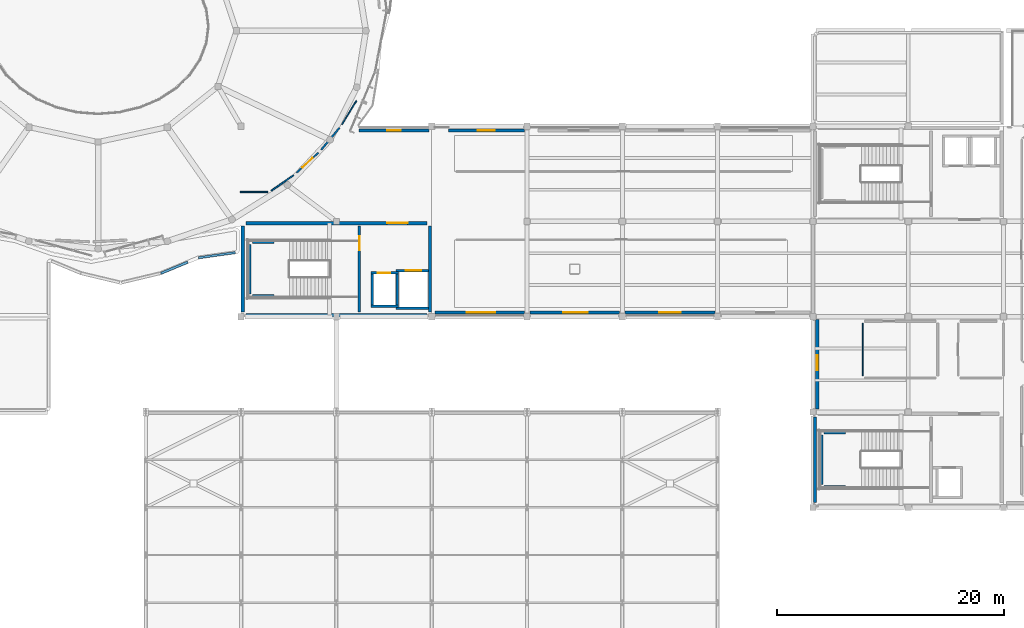
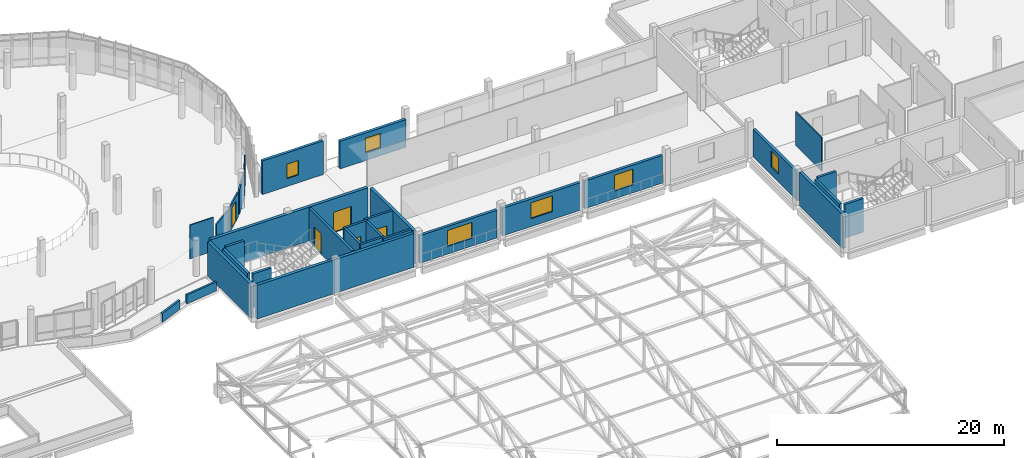
# One storey, part 59 of 74: 32 walls, 6 windows, 5 doors, 11 openings.
"""IFC4 building model written with IfcOpenShell, lengths in metres."""

from ifc_helpers import new_model, si_unit, derived_unit, direction, frame, frame_2d, origin, place, context, subcontext, project, spatial, rectangle, extrude, material, layer, layer_set, type_object, element, fill, save


model = new_model("IFC4")

# Units and contexts
model_context = context("Model", 3, precision=1e-05, world=origin(), true_north=direction((0.0, 1.0)))
body_context = subcontext(model_context, "Body", "Model", "MODEL_VIEW")
ifc_project = project(units=[si_unit("LENGTHUNIT", "METRE"), si_unit("AREAUNIT", "SQUARE_METRE"), si_unit("VOLUMEUNIT", "CUBIC_METRE"), si_unit("PLANEANGLEUNIT", "RADIAN"), si_unit("MASSUNIT", "GRAM", prefix="KILO"), derived_unit("THERMALTRANSMITTANCEUNIT", [(si_unit("POWERUNIT", "WATT"), 1), (si_unit("LENGTHUNIT", "METRE"), -2), (si_unit("THERMODYNAMICTEMPERATUREUNIT", "KELVIN"), -1)])], contexts=[model_context])

# Site, building, storey
site_placement = place(None, origin())
site = spatial("IfcSite", under=ifc_project, at=site_placement, CompositionType="ELEMENT")
building_placement = place(site_placement, origin())
building = spatial("IfcBuilding", under=site, at=building_placement, Name="Elbkamm Science Centre", CompositionType="ELEMENT")
storey_placement = place(building_placement, frame((0.0, 0.0, 14.39990234375)))
storey = spatial("IfcBuildingStorey", under=building, at=storey_placement, Name="L03", CompositionType="ELEMENT", Elevation=14.39990234375)

# Walls
ifc_material_1 = material(Name="Reinforced concrete C40/50", Category="concrete")
ifc_layer_1 = layer(ifc_material_1, 0.25)
ifc_layer_set_1 = layer_set([ifc_layer_1], Name="Reinforced concrete C40/50")
wall_type_1 = type_object("IfcWallType", Name="WL-CORE-250", PredefinedType="SHEAR", material=ifc_layer_set_1)
wall_1_placement = place(storey_placement, frame((76.340087890625, 44.02001953125, 0.0), z_axis=(0.0, 0.0, 1.0), x_axis=(0.0, 1.0, 0.0)))
element("IfcWall", 1, at=wall_1_placement, inside=storey, type_object=wall_type_1, Name="L03 ST-C2 Shaft Bearing Wall W", PredefinedType="SHEAR", context=body_context, shape_type="SweptSolid", body=[
    extrude(rectangle(XDim=4.35986328125, YDim=0.25, at=frame_2d((2.179931640625, 0.0))), origin(), (0.0, 0.0, 1.0), 3.6201171875),
])
for number, where, z_axis, x_axis, name in (
    (2, (76.590087890625, 43.820068359375, 0.0), (0.0, 0.0, 1.0), (1.0, 0.0, 0.0), "L03 ST-C2 Shaft Bearing Wall S"),
    (3, (76.590087890625, 48.580078125, 0.0), (0.0, 0.0, 1.0), (1.0, 0.0, 0.0), "L03 ST-C2 Shaft Bearing Wall N"),
):
    element("IfcWall", number, at=place(storey_placement, frame(where, z_axis=z_axis, x_axis=x_axis)), inside=storey, type_object=wall_type_1, Name=name, PredefinedType="SHEAR", context=body_context, shape_type="SweptSolid", body=[
        extrude(rectangle(XDim=1.889892578125, YDim=0.25, at=frame_2d((0.94482421875, 0.0))), origin(), (0.0, 0.0, 1.0), 3.6201171875),
    ])

# Wall, opening, door
wall_2_placement = place(storey_placement, frame((86.02001953125, 42.419921875, 0.0), z_axis=(0.0, 0.0, 1.0), x_axis=(0.0, 1.0, 0.0)))
wall_2 = element("IfcWall", 4, at=wall_2_placement, inside=storey, type_object=wall_type_1, Name="L03 C2 Stairwell Compartment Wall", PredefinedType="SHEAR", context=body_context, shape_type="SweptSolid", body=[
    extrude(rectangle(XDim=7.56005859375, YDim=0.25, at=frame_2d((3.780029296875, 0.0))), origin(), (0.0, 0.0, 1.0), 3.6201171875),
])
opening_1_placement = place(wall_2_placement, frame((5.4599609375, 0.0, 0.0)))
opening_1 = element("IfcOpeningElement", 5, at=opening_1_placement, cuts=wall_2, Name="Opening DC-02", PredefinedType="OPENING", context=body_context, shape_type="SweptSolid", body=[
    extrude(rectangle(XDim=1.199951171875, YDim=2.199951171875, at=frame_2d((0.60009765625, 1.10009765625))), frame((0.0, 0.136962890625, 0.0), z_axis=(0.0, -1.0, 0.0), x_axis=(1.0, 0.0, 0.0)), (0.0, 0.0, 1.0), 0.27392578125),
])
ifc_material_2 = material(Name="Fire-rated steel acoustic door", Category="steel")
ifc_layer_2 = layer(ifc_material_2, 0.050048828125)
ifc_layer_set_2 = layer_set([ifc_layer_2], Name="Fire-rated steel acoustic door")
door_type_1 = type_object("IfcDoorType", Name="DR-CORE-1200x2200", OperationType="NOTDEFINED", PredefinedType="DOOR", material=ifc_layer_set_2)
door_1_placement = place(opening_1_placement, origin())
door_1 = element("IfcDoor", 6, at=door_1_placement, inside=storey, type_object=door_type_1, Name="L03 ST-C2 Stairwell Fire Door", OperationType="SINGLE_SWING_RIGHT", OverallHeight=2.199951171875, OverallWidth=1.199951171875, PredefinedType="DOOR", context=body_context, shape_type="SweptSolid", body=[
    extrude(rectangle(XDim=1.199951171875, YDim=2.199951171875, at=frame_2d((0.60009765625, 1.10009765625))), frame((0.0, 0.02490234375, 0.0), z_axis=(0.0, -1.0, 0.0), x_axis=(1.0, 0.0, 0.0)), (0.0, 0.0, 1.0), 0.050048828125),
])
fill(opening_1, door_1)

# Walls
wall_3_placement = place(storey_placement, frame((126.739990234375, 27.219970703125, 0.0), z_axis=(0.0, 0.0, 1.0), x_axis=(0.0, 1.0, 0.0)))
element("IfcWall", 7, at=wall_3_placement, inside=storey, type_object=wall_type_1, Name="L03 ST-C4 Shaft Bearing Wall W", PredefinedType="SHEAR", context=body_context, shape_type="SweptSolid", body=[
    extrude(rectangle(XDim=4.360107421875, YDim=0.25, at=frame_2d((2.18017578125, 0.0))), origin(), (0.0, 0.0, 1.0), 3.6201171875),
])
for number, where, z_axis, x_axis, name in (
    (8, (126.989990234375, 27.02001953125, 0.0), (0.0, 0.0, 1.0), (1.0, 0.0, 0.0), "L03 ST-C4 Shaft Bearing Wall S"),
    (9, (126.989990234375, 31.780029296875, 0.0), (0.0, 0.0, 1.0), (1.0, 0.0, 0.0), "L03 ST-C4 Shaft Bearing Wall N"),
):
    element("IfcWall", number, at=place(storey_placement, frame(where, z_axis=z_axis, x_axis=x_axis)), inside=storey, type_object=wall_type_1, Name=name, PredefinedType="SHEAR", context=body_context, shape_type="SweptSolid", body=[
        extrude(rectangle(XDim=1.889892578125, YDim=0.25, at=frame_2d((0.94482421875, 0.0))), origin(), (0.0, 0.0, 1.0), 3.6201171875),
    ])
ifc_layer_3 = layer(ifc_material_1, 0.300048828125)
ifc_layer_set_3 = layer_set([ifc_layer_3], Name="Reinforced concrete C40/50")
wall_type_2 = type_object("IfcWallType", Name="WL-CORE-300", PredefinedType="SHEAR", material=ifc_layer_set_3)
wall_4_placement = place(storey_placement, frame((76.02001953125, 42.14990234375, 0.0), z_axis=(0.0, 0.0, 1.0), x_axis=(1.0, 0.0, 0.0)))
element("IfcWall", 10, at=wall_4_placement, inside=storey, type_object=wall_type_2, Name="L03 Core C2 Central Exhibition and Skybridge Core Shear Wall S", PredefinedType="SHEAR", context=body_context, shape_type="SweptSolid", body=[
    extrude(rectangle(XDim=15.9599609375, YDim=0.300048828125, at=frame_2d((7.97998046875, 0.0))), origin(), (0.0, 0.0, 1.0), 3.6201171875),
])

# Wall, opening, door
wall_5_placement = place(storey_placement, frame((76.02001953125, 50.25, 0.0), z_axis=(0.0, 0.0, 1.0), x_axis=(1.0, 0.0, 0.0)))
wall_5 = element("IfcWall", 11, at=wall_5_placement, inside=storey, type_object=wall_type_2, Name="L03 Core C2 Central Exhibition and Skybridge Core Shear Wall N", PredefinedType="SHEAR", context=body_context, shape_type="SweptSolid", body=[
    extrude(rectangle(XDim=15.9599609375, YDim=0.300048828125, at=frame_2d((7.97998046875, 0.0))), origin(), (0.0, 0.0, 1.0), 3.6201171875),
])
opening_2_placement = place(wall_5_placement, frame((12.4599609375, 0.0, 0.0)))
opening_2 = element("IfcOpeningElement", 12, at=opening_2_placement, cuts=wall_5, Name="Opening DC-01", PredefinedType="OPENING", context=body_context, shape_type="SweptSolid", body=[
    extrude(rectangle(XDim=1.800048828125, YDim=2.199951171875, at=frame_2d((0.89990234375, 1.10009765625))), frame((0.0, 0.162109375, 0.0), z_axis=(0.0, -1.0, 0.0), x_axis=(1.0, 0.0, 0.0)), (0.0, 0.0, 1.0), 0.323974609375),
])
ifc_layer_4 = layer(ifc_material_2, 0.050048828125)
ifc_layer_set_4 = layer_set([ifc_layer_4], Name="Fire-rated steel acoustic door")
door_type_2 = type_object("IfcDoorType", Name="DR-CORE-1800x2200", OperationType="DOUBLE_DOOR_SINGLE_SWING", PredefinedType="DOOR", material=ifc_layer_set_4)
door_2_placement = place(opening_2_placement, origin())
door_2 = element("IfcDoor", 13, at=door_2_placement, inside=storey, type_object=door_type_2, Name="L03 C2 Core Lobby Fire Door", OperationType="DOUBLE_DOOR_SINGLE_SWING", OverallHeight=2.199951171875, OverallWidth=1.800048828125, PredefinedType="DOOR", context=body_context, shape_type="SweptSolid", body=[
    extrude(rectangle(XDim=1.800048828125, YDim=2.199951171875, at=frame_2d((0.89990234375, 1.10009765625))), frame((0.0, 0.02490234375, 0.0), z_axis=(0.0, -1.0, 0.0), x_axis=(1.0, 0.0, 0.0)), (0.0, 0.0, 1.0), 0.050048828125),
])
fill(opening_2, door_2)

# Walls
for number, where, z_axis, x_axis, name in (
    (14, (75.75, 42.419921875, 0.0), (0.0, 0.0, 1.0), (0.0, 1.0, 0.0), "L03 Core C2 Central Exhibition and Skybridge Core Shear Wall W"),
    (15, (92.25, 42.419921875, 0.0), (0.0, 0.0, 1.0), (0.0, 1.0, 0.0), "L03 Core C2 Central Exhibition and Skybridge Core Shear Wall E"),
):
    element("IfcWall", number, at=place(storey_placement, frame(where, z_axis=z_axis, x_axis=x_axis)), inside=storey, type_object=wall_type_2, Name=name, PredefinedType="SHEAR", context=body_context, shape_type="SweptSolid", body=[
        extrude(rectangle(XDim=7.56005859375, YDim=0.300048828125, at=frame_2d((3.780029296875, 0.0))), origin(), (0.0, 0.0, 1.0), 3.6201171875),
    ])
wall_6_placement = place(storey_placement, frame((126.179931640625, 25.6201171875, 0.0), z_axis=(0.0, 0.0, 1.0), x_axis=(0.0, 1.0, 0.0)))
element("IfcWall", 16, at=wall_6_placement, inside=storey, type_object=wall_type_2, Name="L03 Core C4 Southeast Workshops and Library Core Shear Wall W", PredefinedType="SHEAR", context=body_context, shape_type="SweptSolid", body=[
    extrude(rectangle(XDim=7.559814453125, YDim=0.300048828125, at=frame_2d((3.77978515625, 0.0))), origin(), (0.0, 0.0, 1.0), 3.6201171875),
])

# Wall, opening, window
ifc_material_3 = material(Name="White precast concrete C40/50", Category="concrete")
ifc_layer_5 = layer(ifc_material_3, 0.27001953125)
ifc_layer_set_5 = layer_set([ifc_layer_5], Name="White precast concrete C40/50")
wall_type_3 = type_object("IfcWallType", Name="WL-EXT-270", PredefinedType="SOLIDWALL", material=ifc_layer_set_5)
wall_7_placement = place(storey_placement, frame((85.972900390625, 58.419921875, 0.0), z_axis=(0.0, 0.0, 1.0), x_axis=(1.0, 0.0, 0.0)))
wall_7 = element("IfcWall", 17, at=wall_7_placement, inside=storey, type_object=wall_type_3, Name="L03 Exterior Wall 0273", PredefinedType="SOLIDWALL", context=body_context, shape_type="SweptSolid", body=[
    extrude(rectangle(XDim=6.18798828125, YDim=0.27001953125, at=frame_2d((3.093994140625, 0.0))), origin(), (0.0, 0.0, 1.0), 3.6201171875),
])
opening_3_placement = place(wall_7_placement, frame((2.493896484375, 0.0, 0.85009765625)))
opening_3 = element("IfcOpeningElement", 18, at=opening_3_placement, cuts=wall_7, Name="Opening W-09", PredefinedType="OPENING", context=body_context, shape_type="SweptSolid", body=[
    extrude(rectangle(XDim=1.199951171875, YDim=1.550048828125, at=frame_2d((0.60009765625, 0.77490234375))), frame((0.0, 0.14697265625, 0.0), z_axis=(0.0, -1.0, 0.0), x_axis=(1.0, 0.0, 0.0)), (0.0, 0.0, 1.0), 0.2939453125),
])
ifc_material_4 = material(Name="Thermally broken aluminium and triple solar glass", Category="aluminium")
ifc_layer_6 = layer(ifc_material_4, 0.06005859375)
ifc_layer_set_6 = layer_set([ifc_layer_6], Name="Thermally broken aluminium and triple solar glass")
window_type_1 = type_object("IfcWindowType", Name="WIN-1200x1550", PartitioningType="SINGLE_PANEL", PredefinedType="WINDOW", material=ifc_layer_set_6)
window_1_placement = place(opening_3_placement, origin())
window_1 = element("IfcWindow", 19, at=window_1_placement, inside=storey, type_object=window_type_1, Name="L03 Facade Window 0068", OverallHeight=1.550048828125, OverallWidth=1.199951171875, PartitioningType="SINGLE_PANEL", PredefinedType="WINDOW", context=body_context, shape_type="SweptSolid", body=[
    extrude(rectangle(XDim=1.199951171875, YDim=1.550048828125, at=frame_2d((0.60009765625, 0.77490234375))), frame((0.0, 0.030029296875, 0.0), z_axis=(0.0, -1.0, 0.0), x_axis=(1.0, 0.0, 0.0)), (0.0, 0.0, 1.0), 0.06005859375),
])
fill(opening_3, window_1)

wall_8_placement = place(storey_placement, frame((126.3798828125, 33.876953125, 0.0), z_axis=(0.0, 0.0, 1.0), x_axis=(0.0, 1.0, 0.0)))
wall_8 = element("IfcWall", 20, at=wall_8_placement, inside=storey, type_object=wall_type_3, Name="L03 Exterior Wall 0285", PredefinedType="SOLIDWALL", context=body_context, shape_type="SweptSolid", body=[
    extrude(rectangle(XDim=7.884033203125, YDim=0.27001953125, at=frame_2d((3.94189453125, 0.0))), origin(), (0.0, 0.0, 1.0), 2.97021484375),
])
opening_4_placement = place(wall_8_placement, frame((3.428466796875, 0.0, 0.85009765625)))
opening_4 = element("IfcOpeningElement", 21, at=opening_4_placement, cuts=wall_8, Name="Opening W-15", PredefinedType="OPENING", context=body_context, shape_type="SweptSolid", body=[
    extrude(rectangle(XDim=1.300048828125, YDim=1.699951171875, at=frame_2d((0.64990234375, 0.85009765625))), frame((0.0, 0.14697265625, 0.0), z_axis=(0.0, -1.0, 0.0), x_axis=(1.0, 0.0, 0.0)), (0.0, 0.0, 1.0), 0.2939453125),
])
ifc_layer_7 = layer(ifc_material_4, 0.06005859375)
ifc_layer_set_7 = layer_set([ifc_layer_7], Name="Thermally broken aluminium and triple solar glass")
window_type_2 = type_object("IfcWindowType", Name="WIN-1300x1700", PartitioningType="SINGLE_PANEL", PredefinedType="WINDOW", material=ifc_layer_set_7)
window_2_placement = place(opening_4_placement, origin())
window_2 = element("IfcWindow", 22, at=window_2_placement, inside=storey, type_object=window_type_2, Name="L03 Facade Window 0074", OverallHeight=1.699951171875, OverallWidth=1.300048828125, PartitioningType="SINGLE_PANEL", PredefinedType="WINDOW", context=body_context, shape_type="SweptSolid", body=[
    extrude(rectangle(XDim=1.300048828125, YDim=1.699951171875, at=frame_2d((0.64990234375, 0.85009765625))), frame((0.0, 0.030029296875, 0.0), z_axis=(0.0, -1.0, 0.0), x_axis=(1.0, 0.0, 0.0)), (0.0, 0.0, 1.0), 0.06005859375),
])
fill(opening_4, window_2)

wall_9_placement = place(storey_placement, frame((117.36083984375, 42.3798828125, 0.0), z_axis=(0.0, 0.0, 1.0), x_axis=(-1.0, 0.0, 0.0)))
wall_9 = element("IfcWall", 23, at=wall_9_placement, inside=storey, type_object=wall_type_3, Name="L03 Exterior Wall 0287", PredefinedType="SOLIDWALL", context=body_context, shape_type="SweptSolid", body=[
    extrude(rectangle(XDim=7.921630859375, YDim=0.27001953125, at=frame_2d((3.9609375, 0.0))), origin(), (0.0, 0.0, 1.0), 2.97021484375),
])
opening_5_placement = place(wall_9_placement, frame((3.010986328125, 0.0, 0.85009765625)))
opening_5 = element("IfcOpeningElement", 24, at=opening_5_placement, cuts=wall_9, Name="Opening W-17", PredefinedType="OPENING", context=body_context, shape_type="SweptSolid", body=[
    extrude(rectangle(XDim=1.89990234375, YDim=1.699951171875, at=frame_2d((0.949951171875, 0.85009765625))), frame((0.0, 0.14697265625, 0.0), z_axis=(0.0, -1.0, 0.0), x_axis=(1.0, 0.0, 0.0)), (0.0, 0.0, 1.0), 0.2939453125),
])
ifc_layer_8 = layer(ifc_material_4, 0.06005859375)
ifc_layer_set_8 = layer_set([ifc_layer_8], Name="Thermally broken aluminium and triple solar glass")
window_type_3 = type_object("IfcWindowType", Name="WIN-1900x1700", PartitioningType="DOUBLE_PANEL_VERTICAL", PredefinedType="WINDOW", material=ifc_layer_set_8)
window_3_placement = place(opening_5_placement, origin())
window_3 = element("IfcWindow", 25, at=window_3_placement, inside=storey, type_object=window_type_3, Name="L03 Facade Window 0076", OverallHeight=1.699951171875, OverallWidth=1.89990234375, PartitioningType="SINGLE_PANEL", PredefinedType="WINDOW", context=body_context, shape_type="SweptSolid", body=[
    extrude(rectangle(XDim=1.89990234375, YDim=1.699951171875, at=frame_2d((0.949951171875, 0.85009765625))), frame((0.0, 0.030029296875, 0.0), z_axis=(0.0, -1.0, 0.0), x_axis=(1.0, 0.0, 0.0)), (0.0, 0.0, 1.0), 0.06005859375),
])
fill(opening_5, window_3)

wall_10_placement = place(storey_placement, frame((100.560791015625, 42.3798828125, 0.0), z_axis=(0.0, 0.0, 1.0), x_axis=(-1.0, 0.0, 0.0)))
wall_10 = element("IfcWall", 26, at=wall_10_placement, inside=storey, type_object=wall_type_3, Name="L03 Exterior Wall 0289", PredefinedType="SOLIDWALL", context=body_context, shape_type="SweptSolid", body=[
    extrude(rectangle(XDim=7.8837890625, YDim=0.27001953125, at=frame_2d((3.94189453125, 0.0))), origin(), (0.0, 0.0, 1.0), 2.97021484375),
])
opening_6_placement = place(wall_10_placement, frame((2.555419921875, 0.0, 0.85009765625)))
opening_6 = element("IfcOpeningElement", 27, at=opening_6_placement, cuts=wall_10, Name="Opening W-19", PredefinedType="OPENING", context=body_context, shape_type="SweptSolid", body=[
    extrude(rectangle(XDim=2.5, YDim=1.699951171875, at=frame_2d((1.25, 0.85009765625))), frame((0.0, 0.14697265625, 0.0), z_axis=(0.0, -1.0, 0.0), x_axis=(1.0, 0.0, 0.0)), (0.0, 0.0, 1.0), 0.2939453125),
])
ifc_layer_9 = layer(ifc_material_4, 0.06005859375)
ifc_layer_set_9 = layer_set([ifc_layer_9], Name="Thermally broken aluminium and triple solar glass")
window_type_4 = type_object("IfcWindowType", Name="WIN-2500x1700", PartitioningType="DOUBLE_PANEL_VERTICAL", PredefinedType="WINDOW", material=ifc_layer_set_9)
window_4_placement = place(opening_6_placement, origin())
window_4 = element("IfcWindow", 28, at=window_4_placement, inside=storey, type_object=window_type_4, Name="L03 Facade Window 0078", OverallHeight=1.699951171875, OverallWidth=2.5, PartitioningType="SINGLE_PANEL", PredefinedType="WINDOW", context=body_context, shape_type="SweptSolid", body=[
    extrude(rectangle(XDim=2.5, YDim=1.699951171875, at=frame_2d((1.25, 0.85009765625))), frame((0.0, 0.030029296875, 0.0), z_axis=(0.0, -1.0, 0.0), x_axis=(1.0, 0.0, 0.0)), (0.0, 0.0, 1.0), 0.06005859375),
])
fill(opening_6, window_4)

ifc_layer_10 = layer(ifc_material_3, 0.2900390625)
ifc_layer_set_10 = layer_set([ifc_layer_10], Name="White precast concrete C40/50")
wall_type_4 = type_object("IfcWallType", Name="WL-EXT-290", PredefinedType="SOLIDWALL", material=ifc_layer_set_10)
wall_11_placement = place(storey_placement, frame((93.868408203125, 58.419921875, 0.0), z_axis=(0.0, 0.0, 1.0), x_axis=(1.0, 0.0, 0.0)))
wall_11 = element("IfcWall", 29, at=wall_11_placement, inside=storey, type_object=wall_type_4, Name="L03 Exterior Wall 0274", PredefinedType="SOLIDWALL", context=body_context, shape_type="SweptSolid", body=[
    extrude(rectangle(XDim=6.6923828125, YDim=0.2900390625, at=frame_2d((3.34619140625, 0.0))), origin(), (0.0, 0.0, 1.0), 2.97021484375),
])
opening_7_placement = place(wall_11_placement, frame((2.59619140625, 0.0, 0.85009765625)))
opening_7 = element("IfcOpeningElement", 30, at=opening_7_placement, cuts=wall_11, Name="Opening W-10", PredefinedType="OPENING", context=body_context, shape_type="SweptSolid", body=[
    extrude(rectangle(XDim=1.5, YDim=1.550048828125, at=frame_2d((0.75, 0.77490234375))), frame((0.0, 0.156982421875, 0.0), z_axis=(0.0, -1.0, 0.0), x_axis=(1.0, 0.0, 0.0)), (0.0, 0.0, 1.0), 0.31396484375),
])
ifc_layer_11 = layer(ifc_material_4, 0.06005859375)
ifc_layer_set_11 = layer_set([ifc_layer_11], Name="Thermally broken aluminium and triple solar glass")
window_type_5 = type_object("IfcWindowType", Name="WIN-1500x1550", PartitioningType="SINGLE_PANEL", PredefinedType="WINDOW", material=ifc_layer_set_11)
window_5_placement = place(opening_7_placement, origin())
window_5 = element("IfcWindow", 31, at=window_5_placement, inside=storey, type_object=window_type_5, Name="L03 Facade Window 0069", OverallHeight=1.550048828125, OverallWidth=1.5, PartitioningType="SINGLE_PANEL", PredefinedType="WINDOW", context=body_context, shape_type="SweptSolid", body=[
    extrude(rectangle(XDim=1.5, YDim=1.550048828125, at=frame_2d((0.75, 0.77490234375))), frame((0.0, 0.030029296875, 0.0), z_axis=(0.0, -1.0, 0.0), x_axis=(1.0, 0.0, 0.0)), (0.0, 0.0, 1.0), 0.06005859375),
])
fill(opening_7, window_5)

wall_12_placement = place(storey_placement, frame((108.9609375, 42.3798828125, 0.0), z_axis=(0.0, 0.0, 1.0), x_axis=(-1.0, 0.0, 0.0)))
wall_12 = element("IfcWall", 32, at=wall_12_placement, inside=storey, type_object=wall_type_4, Name="L03 Exterior Wall 0288", PredefinedType="SOLIDWALL", context=body_context, shape_type="SweptSolid", body=[
    extrude(rectangle(XDim=7.884033203125, YDim=0.2900390625, at=frame_2d((3.94189453125, 0.0))), origin(), (0.0, 0.0, 1.0), 2.97021484375),
])
opening_8_placement = place(wall_12_placement, frame((2.78662109375, 0.0, 0.85009765625)))
opening_8 = element("IfcOpeningElement", 33, at=opening_8_placement, cuts=wall_12, Name="Opening W-18", PredefinedType="OPENING", context=body_context, shape_type="SweptSolid", body=[
    extrude(rectangle(XDim=2.199951171875, YDim=1.699951171875, at=frame_2d((1.10009765625, 0.85009765625))), frame((0.0, 0.156982421875, 0.0), z_axis=(0.0, -1.0, 0.0), x_axis=(1.0, 0.0, 0.0)), (0.0, 0.0, 1.0), 0.31396484375),
])
ifc_layer_12 = layer(ifc_material_4, 0.06005859375)
ifc_layer_set_12 = layer_set([ifc_layer_12], Name="Thermally broken aluminium and triple solar glass")
window_type_6 = type_object("IfcWindowType", Name="WIN-2200x1700", PartitioningType="DOUBLE_PANEL_VERTICAL", PredefinedType="WINDOW", material=ifc_layer_set_12)
window_6_placement = place(opening_8_placement, origin())
window_6 = element("IfcWindow", 34, at=window_6_placement, inside=storey, type_object=window_type_6, Name="L03 Facade Window 0077", OverallHeight=1.699951171875, OverallWidth=2.199951171875, PartitioningType="SINGLE_PANEL", PredefinedType="WINDOW", context=body_context, shape_type="SweptSolid", body=[
    extrude(rectangle(XDim=2.199951171875, YDim=1.699951171875, at=frame_2d((1.10009765625, 0.85009765625))), frame((0.0, 0.030029296875, 0.0), z_axis=(0.0, -1.0, 0.0), x_axis=(1.0, 0.0, 0.0)), (0.0, 0.0, 1.0), 0.06005859375),
])
fill(opening_8, window_6)

# Walls
ifc_layer_13 = layer(ifc_material_3, 0.18994140625)
ifc_layer_set_13 = layer_set([ifc_layer_13], Name="White precast concrete C40/50")
wall_type_5 = type_object("IfcWallType", Name="WL-PAR-190", PredefinedType="PARAPET", material=ifc_layer_set_13)
wall_13_placement = place(storey_placement, frame((75.08984375, 47.655517578125, 0.0), z_axis=(0.0, 0.0, 1.0), x_axis=(-0.990265393058, -0.139192138112, 0.0)))
element("IfcWall", 35, at=wall_13_placement, inside=storey, type_object=wall_type_5, Name="L03 Roof Parapet Wall 051", PredefinedType="PARAPET", context=body_context, shape_type="SweptSolid", body=[
    extrude(rectangle(XDim=3.28173828125, YDim=0.18994140625, at=frame_2d((1.640869140625, 0.0))), origin(), (0.0, 0.0, 1.0), 0.9501953125),
])
ifc_layer_14 = layer(ifc_material_3, 0.2099609375)
ifc_layer_set_14 = layer_set([ifc_layer_14], Name="White precast concrete C40/50")
wall_type_6 = type_object("IfcWallType", Name="WL-PAR-210", PredefinedType="PARAPET", material=ifc_layer_set_14)
wall_14_placement = place(storey_placement, frame((70.89892578125, 46.814208984375, 0.0), z_axis=(0.0, 0.0, 1.0), x_axis=(-0.923133576222, -0.384479388852, 0.0)))
element("IfcWall", 36, at=wall_14_placement, inside=storey, type_object=wall_type_6, Name="L03 Roof Parapet Wall 052", PredefinedType="PARAPET", context=body_context, shape_type="SweptSolid", body=[
    extrude(rectangle(XDim=2.549560546875, YDim=0.2099609375, at=frame_2d((1.27490234375, 0.0))), origin(), (0.0, 0.0, 1.0), 0.9501953125),
])
ifc_material_5 = material(Name="Drywall service partition", Category="gypsum")
ifc_layer_15 = layer(ifc_material_5, 0.10009765625)
ifc_layer_set_15 = layer_set([ifc_layer_15], Name="Drywall service partition")
wall_type_7 = type_object("IfcWallType", Name="WL-PART-100", PredefinedType="PARTITIONING", material=ifc_layer_set_15)
wall_15_placement = place(storey_placement, frame((85.772216796875, 61.039794921875, 0.0), z_axis=(0.0, 0.0, 1.0), x_axis=(-0.523223649045, -0.852195407803, 0.0)))
element("IfcWall", 37, at=wall_15_placement, inside=storey, type_object=wall_type_7, Name="L03 Wave and Physics Exhibition Hall Partition 0203", PredefinedType="PARTITIONING", context=body_context, shape_type="SweptSolid", body=[
    extrude(rectangle(XDim=2.4482421875, YDim=0.10009765625, at=frame_2d((1.22412109375, 0.0))), origin(), (0.0, 0.0, 1.0), 2.670166015625),
])
wall_16_placement = place(storey_placement, frame((77.9443359375, 53.0, 0.0), z_axis=(0.0, 0.0, 1.0), x_axis=(-1.0, 0.0, 0.0)))
element("IfcWall", 38, at=wall_16_placement, inside=storey, type_object=wall_type_7, Name="L03 Wave and Physics Exhibition Hall Partition 0207", PredefinedType="PARTITIONING", context=body_context, shape_type="SweptSolid", body=[
    extrude(rectangle(XDim=2.414306640625, YDim=0.10009765625, at=frame_2d((1.20703125, 0.0))), origin(), (0.0, 0.0, 1.0), 3.6201171875),
])
wall_17_placement = place(storey_placement, frame((130.39990234375, 36.780029296875, 0.0), z_axis=(0.0, 0.0, 1.0), x_axis=(0.0, 1.0, 0.0)))
element("IfcWall", 39, at=wall_17_placement, inside=storey, type_object=wall_type_7, Name="L03 Public Washrooms L03 Partition 0227", PredefinedType="PARTITIONING", context=body_context, shape_type="SweptSolid", body=[
    extrude(rectangle(XDim=4.639892578125, YDim=0.10009765625, at=frame_2d((2.31982421875, 0.0))), origin(), (0.0, 0.0, 1.0), 3.6201171875),
])
ifc_material_6 = material(Name="Lightweight metal-stud gypsum partition", Category="gypsum")
ifc_layer_16 = layer(ifc_material_6, 0.125)
ifc_layer_set_16 = layer_set([ifc_layer_16], Name="Lightweight metal-stud gypsum partition")
wall_type_8 = type_object("IfcWallType", Name="WL-PART-125", PredefinedType="PARTITIONING", material=ifc_layer_set_16)
wall_18_placement = place(storey_placement, frame((80.21337890625, 54.471435546875, 0.0), z_axis=(0.0, 0.0, 1.0), x_axis=(-0.817528623895, -0.575887965764, 0.0)))
element("IfcWall", 40, at=wall_18_placement, inside=storey, type_object=wall_type_8, Name="L03 Wave and Physics Exhibition Hall Partition 0206", PredefinedType="PARTITIONING", context=body_context, shape_type="SweptSolid", body=[
    extrude(rectangle(XDim=2.375244140625, YDim=0.125, at=frame_2d((1.1875, 0.0))), origin(), (0.0, 0.0, 1.0), 2.670166015625),
])

# Wall, opening, door
ifc_material_7 = material(Name="Acoustic metal-stud gypsum partition", Category="gypsum")
ifc_layer_17 = layer(ifc_material_7, 0.139892578125)
ifc_layer_set_17 = layer_set([ifc_layer_17], Name="Acoustic metal-stud gypsum partition")
wall_type_9 = type_object("IfcWallType", Name="WL-PART-140", PredefinedType="PARTITIONING", material=ifc_layer_set_17)
wall_19_placement = place(storey_placement, frame((82.41845703125, 56.459716796875, 0.0), z_axis=(0.0, 0.0, 1.0), x_axis=(-0.737472367945, -0.675377306784, 0.0)))
wall_19 = element("IfcWall", 41, at=wall_19_placement, inside=storey, type_object=wall_type_9, Name="L03 Wave and Physics Exhibition Hall Partition 0205", PredefinedType="PARTITIONING", context=body_context, shape_type="SweptSolid", body=[
    extrude(rectangle(XDim=2.610595703125, YDim=0.139892578125, at=frame_2d((1.30517578125, 0.0))), origin(), (0.0, 0.0, 1.0), 2.670166015625),
])
opening_9_placement = place(wall_19_placement, frame((0.705322265625, 0.0, 0.0)))
opening_9 = element("IfcOpeningElement", 42, at=opening_9_placement, cuts=wall_19, Name="Opening DI-04", PredefinedType="OPENING", context=body_context, shape_type="SweptSolid", body=[
    extrude(rectangle(XDim=1.199951171875, YDim=2.199951171875, at=frame_2d((0.60009765625, 1.10009765625))), frame((0.0, 0.08203125, 0.0), z_axis=(0.0, -1.0, 0.0), x_axis=(1.0, 0.0, 0.0)), (0.0, 0.0, 1.0), 0.163818359375),
])
ifc_material_8 = material(Name="Acoustic oak veneer door")
ifc_layer_18 = layer(ifc_material_8, 0.050048828125)
ifc_layer_set_18 = layer_set([ifc_layer_18], Name="Acoustic oak veneer door")
door_type_3 = type_object("IfcDoorType", Name="DR-INT-1200x2200", OperationType="NOTDEFINED", PredefinedType="DOOR", material=ifc_layer_set_18)
door_3_placement = place(opening_9_placement, origin())
door_3 = element("IfcDoor", 43, at=door_3_placement, inside=storey, type_object=door_type_3, Name="L03 Wave and Physics Exhibition Hall Door", OperationType="SINGLE_SWING_LEFT", OverallHeight=2.199951171875, OverallWidth=1.199951171875, PredefinedType="DOOR", context=body_context, shape_type="SweptSolid", body=[
    extrude(rectangle(XDim=1.199951171875, YDim=2.199951171875, at=frame_2d((0.60009765625, 1.10009765625))), frame((0.0, 0.02490234375, 0.0), z_axis=(0.0, -1.0, 0.0), x_axis=(1.0, 0.0, 0.0)), (0.0, 0.0, 1.0), 0.050048828125),
])
fill(opening_9, door_3)

# Walls
ifc_layer_19 = layer(ifc_material_7, 0.159912109375)
ifc_layer_set_19 = layer_set([ifc_layer_19], Name="Acoustic metal-stud gypsum partition")
wall_type_10 = type_object("IfcWallType", Name="WL-PART-160", PredefinedType="PARTITIONING", material=ifc_layer_set_19)
wall_20_placement = place(storey_placement, frame((84.281982421875, 58.66162109375, 0.0), z_axis=(0.0, 0.0, 1.0), x_axis=(-0.639594836831, -0.768712198875, 0.0)))
element("IfcWall", 44, at=wall_20_placement, inside=storey, type_object=wall_type_10, Name="L03 Wave and Physics Exhibition Hall Partition 0204", PredefinedType="PARTITIONING", context=body_context, shape_type="SweptSolid", body=[
    extrude(rectangle(XDim=2.526123046875, YDim=0.159912109375, at=frame_2d((1.26318359375, 0.0))), origin(), (0.0, 0.0, 1.0), 2.670166015625),
])
ifc_layer_20 = layer(ifc_material_1, 0.219970703125)
ifc_layer_set_20 = layer_set([ifc_layer_20], Name="Reinforced concrete C40/50")
wall_type_11 = type_object("IfcWallType", Name="WL-SHAFT-220", PredefinedType="SOLIDWALL", material=ifc_layer_set_20)
wall_21_placement = place(storey_placement, frame((87.139892578125, 43.050048828125, 0.0), z_axis=(0.0, 0.0, 1.0), x_axis=(0.0, 1.0, 0.0)))
element("IfcWall", 45, at=wall_21_placement, inside=storey, type_object=wall_type_11, Name="L03 Lift FF2 Shaft West Wall", PredefinedType="SOLIDWALL", context=body_context, shape_type="SweptSolid", body=[
    extrude(rectangle(XDim=2.699951171875, YDim=0.219970703125, at=frame_2d((1.35009765625, 0.0))), origin(), (0.0, 0.0, 1.0), 3.6201171875),
])
wall_22_placement = place(storey_placement, frame((87.030029296875, 42.93994140625, 0.0), z_axis=(0.0, 0.0, 1.0), x_axis=(1.0, 0.0, 0.0)))
element("IfcWall", 46, at=wall_22_placement, inside=storey, type_object=wall_type_11, Name="L03 Lift FF2 Shaft Back Wall", PredefinedType="SOLIDWALL", context=body_context, shape_type="SweptSolid", body=[
    extrude(rectangle(XDim=2.429931640625, YDim=0.219970703125, at=frame_2d((1.21484375, 0.0))), origin(), (0.0, 0.0, 1.0), 3.6201171875),
])

# Wall, opening, door
wall_23_placement = place(storey_placement, frame((87.030029296875, 45.860107421875, 0.0), z_axis=(0.0, 0.0, 1.0), x_axis=(1.0, 0.0, 0.0)))
wall_23 = element("IfcWall", 47, at=wall_23_placement, inside=storey, type_object=wall_type_11, Name="L03 Lift FF2 Shaft Front Wall", PredefinedType="SOLIDWALL", context=body_context, shape_type="SweptSolid", body=[
    extrude(rectangle(XDim=2.429931640625, YDim=0.219970703125, at=frame_2d((1.21484375, 0.0))), origin(), (0.0, 0.0, 1.0), 3.6201171875),
])
opening_10_placement = place(wall_23_placement, frame((0.6201171875, 0.0, 0.0)))
opening_10 = element("IfcOpeningElement", 48, at=opening_10_placement, cuts=wall_23, Name="Opening LD-01", PredefinedType="OPENING", context=body_context, shape_type="SweptSolid", body=[
    extrude(rectangle(XDim=1.10009765625, YDim=2.14990234375, at=frame_2d((0.550048828125, 1.074951171875))), frame((0.0, 0.1220703125, 0.0), z_axis=(0.0, -1.0, 0.0), x_axis=(1.0, 0.0, 0.0)), (0.0, 0.0, 1.0), 0.243896484375),
])
ifc_material_9 = material(Name="Stainless steel lift landing door", Category="steel")
ifc_layer_21 = layer(ifc_material_9, 0.050048828125)
ifc_layer_set_21 = layer_set([ifc_layer_21], Name="Stainless steel lift landing door")
door_type_4 = type_object("IfcDoorType", Name="DR-LIFT-1100x2150", OperationType="DOUBLE_DOOR_SLIDING", PredefinedType="DOOR", material=ifc_layer_set_21)
door_4_placement = place(opening_10_placement, origin())
door_4 = element("IfcDoor", 49, at=door_4_placement, inside=storey, type_object=door_type_4, Name="L03 Lift FF2 Sliding Landing Door", OperationType="DOUBLE_DOOR_SLIDING", OverallHeight=2.14990234375, OverallWidth=1.10009765625, PredefinedType="DOOR", context=body_context, shape_type="SweptSolid", body=[
    extrude(rectangle(XDim=1.10009765625, YDim=2.14990234375, at=frame_2d((0.550048828125, 1.074951171875))), frame((0.0, 0.02490234375, 0.0), z_axis=(0.0, -1.0, 0.0), x_axis=(1.0, 0.0, 0.0)), (0.0, 0.0, 1.0), 0.050048828125),
])
fill(opening_10, door_4)

# Walls
wall_24_placement = place(storey_placement, frame((89.35009765625, 42.85009765625, 0.0), z_axis=(0.0, 0.0, 1.0), x_axis=(0.0, 1.0, 0.0)))
element("IfcWall", 50, at=wall_24_placement, inside=storey, type_object=wall_type_11, Name="L03 Lift GL1 Shaft Divider Wall", PredefinedType="SOLIDWALL", context=body_context, shape_type="SweptSolid", body=[
    extrude(rectangle(XDim=3.099853515625, YDim=0.219970703125, at=frame_2d((1.5498046875, 0.0))), origin(), (0.0, 0.0, 1.0), 3.6201171875),
])
wall_25_placement = place(storey_placement, frame((89.239990234375, 42.739990234375, 0.0), z_axis=(0.0, 0.0, 1.0), x_axis=(1.0, 0.0, 0.0)))
element("IfcWall", 51, at=wall_25_placement, inside=storey, type_object=wall_type_11, Name="L03 Lift GL1 Shaft Back Wall", PredefinedType="SOLIDWALL", context=body_context, shape_type="SweptSolid", body=[
    extrude(rectangle(XDim=2.860107421875, YDim=0.219970703125, at=frame_2d((1.43017578125, 0.0))), origin(), (0.0, 0.0, 1.0), 3.6201171875),
])

# Wall, opening, door
wall_26_placement = place(storey_placement, frame((89.239990234375, 46.06005859375, 0.0), z_axis=(0.0, 0.0, 1.0), x_axis=(1.0, 0.0, 0.0)))
wall_26 = element("IfcWall", 52, at=wall_26_placement, inside=storey, type_object=wall_type_11, Name="L03 Lift GL1 Shaft Front Wall", PredefinedType="SOLIDWALL", context=body_context, shape_type="SweptSolid", body=[
    extrude(rectangle(XDim=2.860107421875, YDim=0.219970703125, at=frame_2d((1.43017578125, 0.0))), origin(), (0.0, 0.0, 1.0), 3.6201171875),
])
opening_11_placement = place(wall_26_placement, frame((0.860107421875, 0.0, 0.0)))
opening_11 = element("IfcOpeningElement", 53, at=opening_11_placement, cuts=wall_26, Name="Opening LD-02", PredefinedType="OPENING", context=body_context, shape_type="SweptSolid", body=[
    extrude(rectangle(XDim=1.39990234375, YDim=2.199951171875, at=frame_2d((0.699951171875, 1.10009765625))), frame((0.0, 0.1220703125, 0.0), z_axis=(0.0, -1.0, 0.0), x_axis=(1.0, 0.0, 0.0)), (0.0, 0.0, 1.0), 0.243896484375),
])
ifc_material_10 = material(Name="Stainless steel freight lift landing door", Category="steel")
ifc_layer_22 = layer(ifc_material_10, 0.050048828125)
ifc_layer_set_22 = layer_set([ifc_layer_22], Name="Stainless steel freight lift landing door")
door_type_5 = type_object("IfcDoorType", Name="DR-LIFT-1400x2200", OperationType="DOUBLE_DOOR_SLIDING", PredefinedType="DOOR", material=ifc_layer_set_22)
door_5_placement = place(opening_11_placement, origin())
door_5 = element("IfcDoor", 54, at=door_5_placement, inside=storey, type_object=door_type_5, Name="L03 Lift GL1 Sliding Landing Door", OperationType="DOUBLE_DOOR_SLIDING", OverallHeight=2.199951171875, OverallWidth=1.39990234375, PredefinedType="DOOR", context=body_context, shape_type="SweptSolid", body=[
    extrude(rectangle(XDim=1.39990234375, YDim=2.199951171875, at=frame_2d((0.699951171875, 1.10009765625))), frame((0.0, 0.02490234375, 0.0), z_axis=(0.0, -1.0, 0.0), x_axis=(1.0, 0.0, 0.0)), (0.0, 0.0, 1.0), 0.050048828125),
])
fill(opening_11, door_5)

save(model, "model.ifc")
